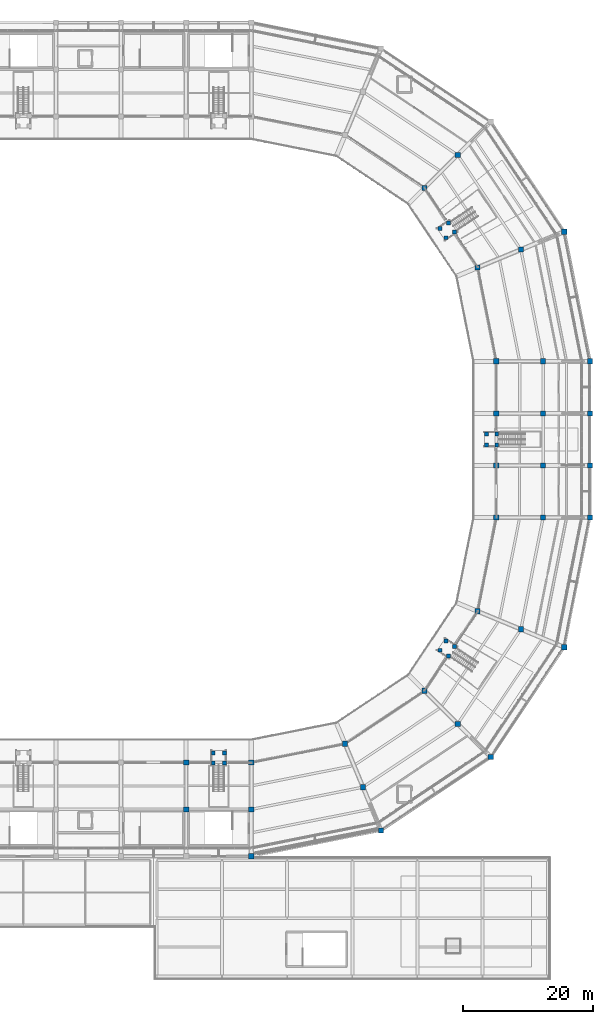
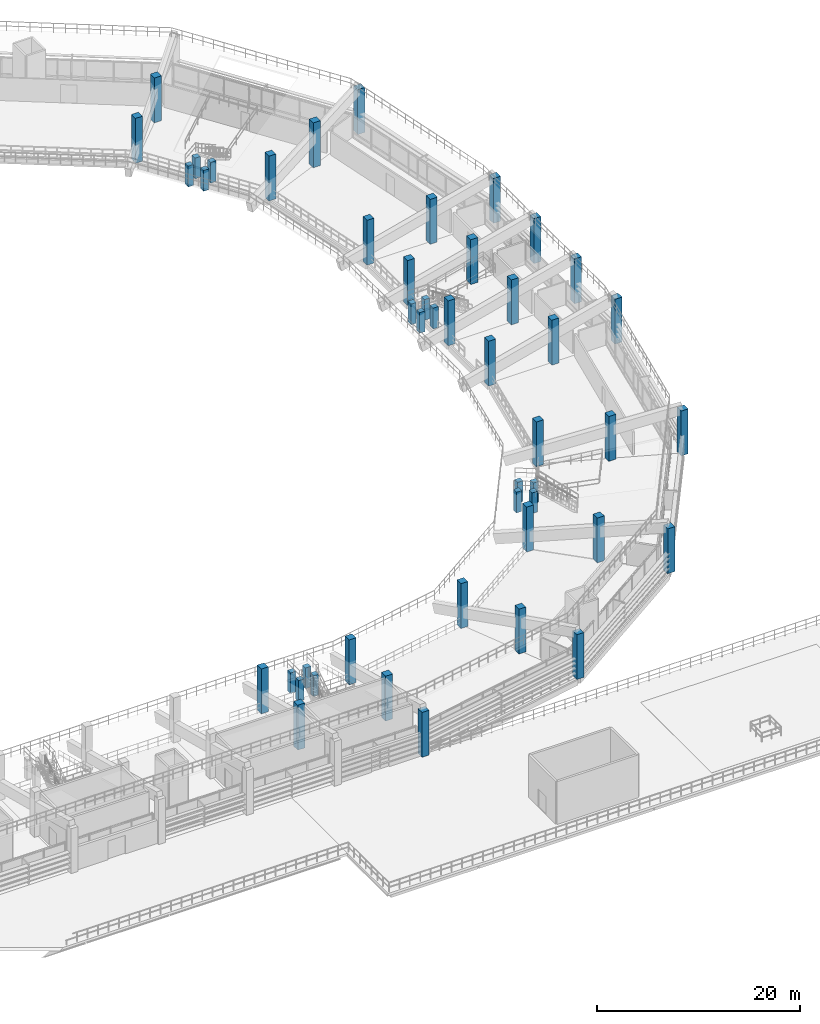
# One storey, part 2 of 96: 47 columns.
"""IFC4 building model written with IfcOpenShell, lengths in metres."""

from ifc_helpers import new_model, si_unit, direction, frame, origin, origin_2d, place, context, subcontext, project, spatial, rectangle, extrude, material, material_profile, profile_set, type_object, element, save


model = new_model("IFC4")

# Units and contexts
model_context = context("Model", 3, precision=1e-05, world=origin(), true_north=direction((0.0, 1.0)))
body_context = subcontext(model_context, "Body", "Model", "MODEL_VIEW")
ifc_project = project(units=[si_unit("LENGTHUNIT", "METRE"), si_unit("AREAUNIT", "SQUARE_METRE"), si_unit("VOLUMEUNIT", "CUBIC_METRE"), si_unit("PLANEANGLEUNIT", "RADIAN"), si_unit("MASSUNIT", "GRAM", prefix="KILO")], contexts=[model_context])

# Site, building, storey
site_placement = place(None, origin())
site = spatial("IfcSite", under=ifc_project, at=site_placement, CompositionType="ELEMENT")
building_placement = place(site_placement, origin())
building = spatial("IfcBuilding", under=site, at=building_placement, Name="Candeia Ridge Stadium", CompositionType="ELEMENT")
storey_placement = place(building_placement, frame((0.0, 0.0, 21.60009765625)))
storey = spatial("IfcBuildingStorey", under=building, at=storey_placement, Name="L04", CompositionType="ELEMENT", Elevation=21.60009765625)

# Columns
ifc_material_1 = material(Name="Concrete C45/55", Category="concrete")
ifc_material_profile_1 = material_profile(ifc_material_1, rectangle(XDim=0.800048828125, YDim=0.800048828125, at=origin_2d()), Name="RC800x800", Category="concrete")
ifc_profile_set_1 = profile_set([ifc_material_profile_1], Name="Concrete C45/55")
column_type_1 = type_object("IfcColumnType", Name="Bowl Column RC800x800", PredefinedType="COLUMN", material=ifc_profile_set_1)
for number, where, z_axis, x_axis, name in (
    (1, (131.0, 33.39990234375, 0.0), (0.0, 0.0, 1.0), (1.0, 0.0, 0.0), "Structural column BC-MD-24 L04"),
    (2, (131.0, 26.199951171875, 0.0), (0.0, 0.0, 1.0), (1.0, 0.0, 0.0), "Structural column BC-M2-24 L04"),
    (3, (141.0, 33.39990234375, 0.0), (0.0, 0.0, 1.0), (1.0, 0.0, 0.0), "Structural column BC-MD-25 L04"),
    (4, (141.0, 26.199951171875, 0.0), (0.0, 0.0, 1.0), (1.0, 0.0, 0.0), "Structural column BC-M2-25 L04"),
    (5, (141.0, 19.0, 0.0), (0.0, 0.0, 1.0), (1.0, 0.0, 0.0), "Structural column BC-OU-25 L04"),
    (6, (155.388916015625, 36.26220703125, 0.0), (0.0, 0.0, 1.0), (1.0, 0.0, 0.0), "Structural column BC-MD-26 L04"),
    (7, (158.144287109375, 29.610107421875, 0.0), (0.0, 0.0, 1.0), (1.0, 0.0, 0.0), "Structural column BC-M2-26 L04"),
    (8, (160.899658203125, 22.958251953125, 0.0), (0.0, 0.0, 1.0), (1.0, 0.0, 0.0), "Structural column BC-OU-26 L04"),
    (9, (167.587158203125, 44.412841796875, 0.0), (0.0, 0.0, 1.0), (1.0, 0.0, 0.0), "Structural column BC-MD-27 L04"),
    (10, (172.678466796875, 39.321533203125, 0.0), (0.0, 0.0, 1.0), (1.0, 0.0, 0.0), "Structural column BC-M2-27 L04"),
    (11, (177.76953125, 34.23046875, 0.0), (0.0, 0.0, 1.0), (1.0, 0.0, 0.0), "Structural column BC-OU-27 L04"),
    (12, (175.73779296875, 56.611083984375, 0.0), (0.0, 0.0, 1.0), (1.0, 0.0, 0.0), "Structural column BC-MD-28 L04"),
    (13, (182.389892578125, 53.855712890625, 0.0), (0.0, 0.0, 1.0), (1.0, 0.0, 0.0), "Structural column BC-M2-28 L04"),
    (14, (189.041748046875, 51.100341796875, 0.0), (0.0, 0.0, 1.0), (1.0, 0.0, 0.0), "Structural column BC-OU-28 L04"),
    (15, (178.60009765625, 71.0, 0.0), (0.0, 0.0, 1.0), (1.0, 0.0, 0.0), "Structural column BC-MD-29 L04"),
    (16, (185.800048828125, 71.0, 0.0), (0.0, 0.0, 1.0), (1.0, 0.0, 0.0), "Structural column BC-M2-29 L04"),
    (17, (193.0, 71.0, 0.0), (0.0, 0.0, 1.0), (1.0, 0.0, 0.0), "Structural column BC-OU-29 L04"),
    (18, (178.60009765625, 79.0, 0.0), (0.0, 0.0, 1.0), (1.0, 0.0, 0.0), "Structural column BC-MD-30 L04"),
    (19, (185.800048828125, 79.0, 0.0), (0.0, 0.0, 1.0), (1.0, 0.0, 0.0), "Structural column BC-M2-30 L04"),
    (20, (193.0, 79.0, 0.0), (0.0, 0.0, 1.0), (1.0, 0.0, 0.0), "Structural column BC-OU-30 L04"),
    (21, (178.60009765625, 87.0, 0.0), (0.0, 0.0, 1.0), (1.0, 0.0, 0.0), "Structural column BC-MD-31 L04"),
    (22, (185.800048828125, 87.0, 0.0), (0.0, 0.0, 1.0), (1.0, 0.0, 0.0), "Structural column BC-M2-31 L04"),
    (23, (193.0, 87.0, 0.0), (0.0, 0.0, 1.0), (1.0, 0.0, 0.0), "Structural column BC-OU-31 L04"),
    (24, (178.60009765625, 95.0, 0.0), (0.0, 0.0, 1.0), (1.0, 0.0, 0.0), "Structural column BC-MD-32 L04"),
    (25, (185.800048828125, 95.0, 0.0), (0.0, 0.0, 1.0), (1.0, 0.0, 0.0), "Structural column BC-M2-32 L04"),
    (26, (193.0, 95.0, 0.0), (0.0, 0.0, 1.0), (1.0, 0.0, 0.0), "Structural column BC-OU-32 L04"),
    (27, (175.73779296875, 109.388916015625, 0.0), (0.0, 0.0, 1.0), (1.0, 0.0, 0.0), "Structural column BC-MD-33 L04"),
    (28, (182.389892578125, 112.144287109375, 0.0), (0.0, 0.0, 1.0), (1.0, 0.0, 0.0), "Structural column BC-M2-33 L04"),
    (29, (189.041748046875, 114.899658203125, 0.0), (0.0, 0.0, 1.0), (1.0, 0.0, 0.0), "Structural column BC-OU-33 L04"),
    (30, (167.587158203125, 121.587158203125, 0.0), (0.0, 0.0, 1.0), (1.0, 0.0, 0.0), "Structural column BC-MD-34 L04"),
    (31, (172.678466796875, 126.678466796875, 0.0), (0.0, 0.0, 1.0), (1.0, 0.0, 0.0), "Structural column BC-M2-34 L04"),
):
    element("IfcColumn", number, at=place(storey_placement, frame(where, z_axis=z_axis, x_axis=x_axis)), inside=storey, type_object=column_type_1, Name=name, PredefinedType="COLUMN", context=body_context, shape_type="SweptSolid", body=[
        extrude(rectangle(XDim=0.800048828125, YDim=0.800048828125, at=origin_2d()), origin(), (0.0, 0.0, 1.0), 5.39990234375),
    ])
ifc_material_2 = material(Name="Concrete C40/50", Category="concrete")
ifc_material_profile_2 = material_profile(ifc_material_2, rectangle(XDim=0.60009765625, YDim=0.60009765625, at=origin_2d()), Name="RC600x600", Category="concrete")
ifc_profile_set_2 = profile_set([ifc_material_profile_2], Name="Concrete C40/50")
column_type_2 = type_object("IfcColumnType", Name="Wing Column RC600x600", PredefinedType="COLUMN", material=ifc_profile_set_2)
for number, where, z_axis, x_axis, name in (
    (32, (136.85009765625, 33.318115234375, 0.0), (0.0, 0.0, 1.0), (1.0, 0.0, 0.0), "Vomitory VS33 landing support column 1 L04"),
    (33, (136.85009765625, 34.867919921875, 0.0), (0.0, 0.0, 1.0), (1.0, 0.0, 0.0), "Vomitory VS33 landing support column 2 L04"),
    (34, (135.14990234375, 34.867919921875, 0.0), (0.0, 0.0, 1.0), (1.0, 0.0, 0.0), "Vomitory VS33 landing support column 3 L04"),
    (35, (135.14990234375, 33.318115234375, 0.0), (0.0, 0.0, 1.0), (1.0, 0.0, 0.0), "Vomitory VS33 landing support column 4 L04"),
    (36, (172.196044921875, 51.177734375, 0.0), (0.0, 0.0, 1.0), (1.0, 0.0, 0.0), "Vomitory VS34 landing support column 1 L04"),
    (37, (170.9072265625, 52.038818359375, 0.0), (0.0, 0.0, 1.0), (1.0, 0.0, 0.0), "Vomitory VS34 landing support column 2 L04"),
    (38, (169.962890625, 50.62548828125, 0.0), (0.0, 0.0, 1.0), (1.0, 0.0, 0.0), "Vomitory VS34 landing support column 3 L04"),
    (39, (171.251708984375, 49.76416015625, 0.0), (0.0, 0.0, 1.0), (1.0, 0.0, 0.0), "Vomitory VS34 landing support column 4 L04"),
    (40, (178.681884765625, 83.85009765625, 0.0), (0.0, 0.0, 1.0), (1.0, 0.0, 0.0), "Vomitory VS35 landing support column 1 L04"),
    (41, (177.132080078125, 83.85009765625, 0.0), (0.0, 0.0, 1.0), (1.0, 0.0, 0.0), "Vomitory VS35 landing support column 2 L04"),
    (42, (177.132080078125, 82.14990234375, 0.0), (0.0, 0.0, 1.0), (1.0, 0.0, 0.0), "Vomitory VS35 landing support column 3 L04"),
    (43, (178.681884765625, 82.14990234375, 0.0), (0.0, 0.0, 1.0), (1.0, 0.0, 0.0), "Vomitory VS35 landing support column 4 L04"),
    (44, (171.251708984375, 116.23583984375, 0.0), (0.0, 0.0, 1.0), (1.0, 0.0, 0.0), "Vomitory VS36 landing support column 1 L04"),
    (45, (169.962890625, 115.37451171875, 0.0), (0.0, 0.0, 1.0), (1.0, 0.0, 0.0), "Vomitory VS36 landing support column 2 L04"),
    (46, (170.9072265625, 113.961181640625, 0.0), (0.0, 0.0, 1.0), (1.0, 0.0, 0.0), "Vomitory VS36 landing support column 3 L04"),
    (47, (172.196044921875, 114.822265625, 0.0), (0.0, 0.0, 1.0), (1.0, 0.0, 0.0), "Vomitory VS36 landing support column 4 L04"),
):
    element("IfcColumn", number, at=place(storey_placement, frame(where, z_axis=z_axis, x_axis=x_axis)), inside=storey, type_object=column_type_2, Name=name, PredefinedType="COLUMN", context=body_context, shape_type="SweptSolid", body=[
        extrude(rectangle(XDim=0.60009765625, YDim=0.60009765625, at=origin_2d()), origin(), (0.0, 0.0, 1.0), 2.493896484375),
    ])

save(model, "model.ifc")
